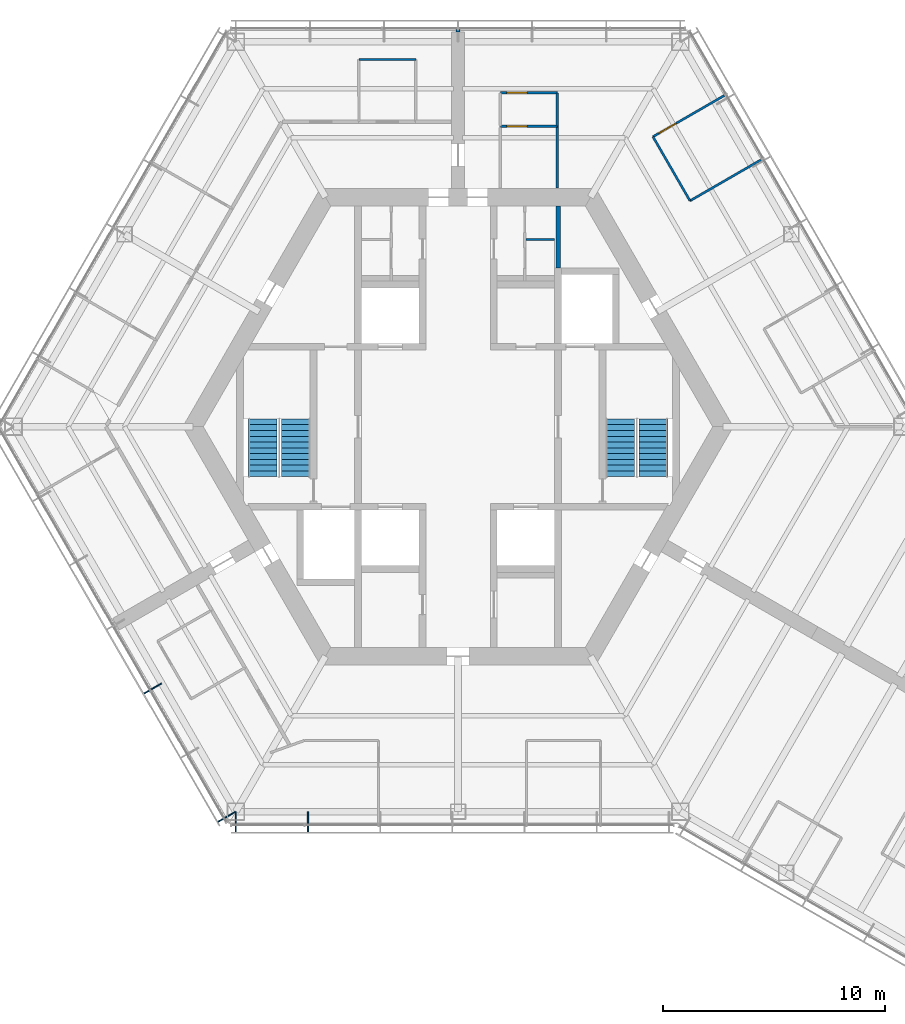
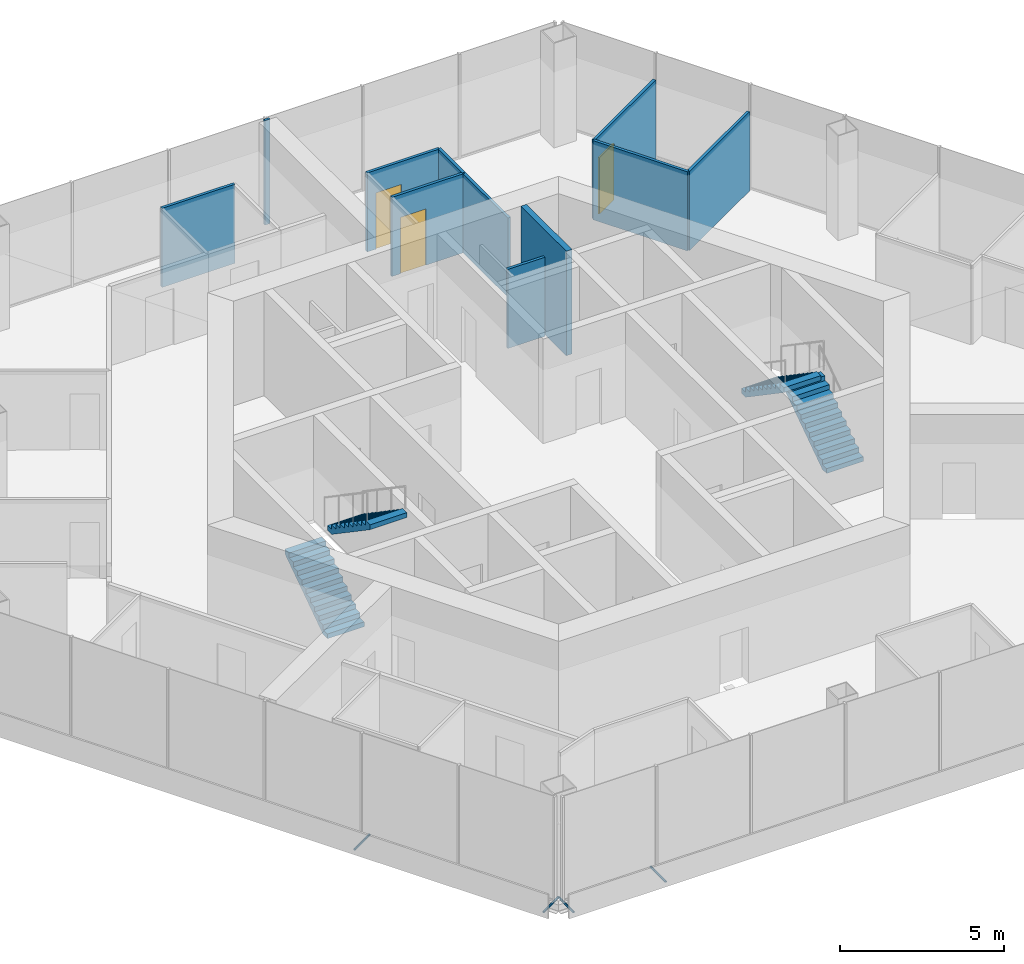
# One storey, part 13 of 16: 11 walls, 4 discrete accessories, 4 stair flights, 3 doors, 3 openings, 2 elements without a shape of their own.
"""IFC4 building model written with IfcOpenShell, lengths in metres."""

from ifc_helpers import new_model, si_unit, direction, frame, frame_2d, origin, origin_2d, place, context, subcontext, project, spatial, polyline, rectangle, hollow_circle, outline, extrude, material, layer, layer_set, material_profile, profile_set, type_object, element, fill, aggregate, save


model = new_model("IFC4")

# Units and contexts
model_context = context("Model", 3, precision=1e-05, world=origin(), true_north=direction((0.0, 1.0)))
body_context = subcontext(model_context, "Body", "Model", "MODEL_VIEW")
ifc_project = project(units=[si_unit("LENGTHUNIT", "METRE"), si_unit("AREAUNIT", "SQUARE_METRE"), si_unit("VOLUMEUNIT", "CUBIC_METRE"), si_unit("PLANEANGLEUNIT", "RADIAN"), si_unit("MASSUNIT", "GRAM", prefix="KILO")], contexts=[model_context])

# Site, building, storey
site_placement = place(None, origin())
site = spatial("IfcSite", under=ifc_project, at=site_placement, CompositionType="ELEMENT")
building_placement = place(site_placement, origin())
building = spatial("IfcBuilding", under=site, at=building_placement, Name="Kasaneha Research Tower", CompositionType="ELEMENT")
storey_placement = place(building_placement, frame((0.0, 0.0, 255.699951171875)))
storey = spatial("IfcBuildingStorey", under=building, at=storey_placement, Name="L64", CompositionType="ELEMENT", Elevation=255.699951171875)

# Wall
ifc_material_1 = material(Name="Gypsum board on steel studs, one layer each side", Category="steel")
ifc_layer_1 = layer(ifc_material_1, 0.10009765625)
ifc_layer_set_1 = layer_set([ifc_layer_1], Name="Office partition 100")
wall_type_1 = type_object("IfcWallType", Name="Office partition 100", PredefinedType="PARTITIONING", material=ifc_layer_set_1)
wall_1_placement = place(storey_placement, frame((3.050048828125, 8.425048828125, 0.0), z_axis=(0.0, 0.0, 1.0), x_axis=(1.0, 0.0, 0.0)))
element("IfcWall", 1, at=wall_1_placement, inside=storey, type_object=wall_type_1, Name="Office partition TBF2 L64", PredefinedType="PARTITIONING", context=body_context, shape_type="SweptSolid", body=[
    extrude(rectangle(XDim=1.300048828125, YDim=0.10009765625, at=frame_2d((0.64990234375, 0.0))), origin(), (0.0, 0.0, 1.0), 2.949951171875),
])

# Wall, opening, door
wall_2_placement = place(storey_placement, frame((1.89990234375, 13.52001953125, 0.0), z_axis=(0.0, 0.0, 1.0), x_axis=(1.0, 0.0, 0.0)))
wall_2 = element("IfcWall", 2, at=wall_2_placement, inside=storey, type_object=wall_type_1, Name="Office partition FAE01 L64", PredefinedType="PARTITIONING", context=body_context, shape_type="SweptSolid", body=[
    extrude(rectangle(XDim=2.565185546875, YDim=0.10009765625, at=frame_2d((1.28271484375, 0.0))), origin(), (0.0, 0.0, 1.0), 2.949951171875),
])
opening_1_placement = place(wall_2_placement, frame((0.300048828125, 0.0, 0.0)))
opening_1 = element("IfcOpeningElement", 3, at=opening_1_placement, cuts=wall_2, Name="Opening L64-D25", PredefinedType="OPENING", context=body_context, shape_type="SweptSolid", body=[
    extrude(rectangle(XDim=0.89990234375, YDim=2.10009765625, at=frame_2d((0.449951171875, 1.050048828125))), frame((0.0, 0.06005859375, 0.0), z_axis=(0.0, -1.0, 0.0), x_axis=(1.0, 0.0, 0.0)), (0.0, 0.0, 1.0), 0.1201171875),
])
ifc_material_2 = material(Name="Steel", Category="steel")
door_type_1 = type_object("IfcDoorType", Name="Toilet lobby door FD30 900x2100", OperationType="NOTDEFINED", PredefinedType="DOOR", material=ifc_material_2)
door_1_placement = place(opening_1_placement, origin())
door_1 = element("IfcDoor", 4, at=door_1_placement, inside=storey, type_object=door_type_1, Name="Women's WC door L64-D25", OperationType="SINGLE_SWING_LEFT", OverallHeight=2.10009765625, OverallWidth=0.89990234375, PredefinedType="DOOR", context=body_context, shape_type="SweptSolid", body=[
    extrude(rectangle(XDim=0.89990234375, YDim=2.10009765625, at=frame_2d((0.449951171875, 1.050048828125))), frame((0.0, 0.02490234375, 0.0), z_axis=(0.0, -1.0, 0.0), x_axis=(1.0, 0.0, 0.0)), (0.0, 0.0, 1.0), 0.050048828125),
])
fill(opening_1, door_1)

# Wall
wall_3_placement = place(storey_placement, frame((4.46044921875, 13.52490234375, 0.0), z_axis=(0.0, 0.0, 1.0), x_axis=(0.001668713644, -0.999998607696, 0.0)))
element("IfcWall", 5, at=wall_3_placement, inside=storey, type_object=wall_type_1, Name="Office partition FAE03 L64", PredefinedType="PARTITIONING", context=body_context, shape_type="SweptSolid", body=[
    extrude(rectangle(XDim=2.77978515625, YDim=0.10009765625, at=frame_2d((1.389892578125, 0.0))), origin(), (0.0, 0.0, 1.0), 2.949951171875),
])

# Wall, opening, door
wall_4_placement = place(storey_placement, frame((1.89990234375, 15.02490234375, 0.0), z_axis=(0.0, 0.0, 1.0), x_axis=(1.0, 0.0, 0.0)))
wall_4 = element("IfcWall", 6, at=wall_4_placement, inside=storey, type_object=wall_type_1, Name="Office partition FAE04 L64", PredefinedType="PARTITIONING", context=body_context, shape_type="SweptSolid", body=[
    extrude(rectangle(XDim=2.565185546875, YDim=0.10009765625, at=frame_2d((1.28271484375, 0.0))), origin(), (0.0, 0.0, 1.0), 2.949951171875),
])
opening_2_placement = place(wall_4_placement, frame((0.300048828125, 0.0, 0.0)))
opening_2 = element("IfcOpeningElement", 7, at=opening_2_placement, cuts=wall_4, Name="Opening L64-D26", PredefinedType="OPENING", context=body_context, shape_type="SweptSolid", body=[
    extrude(rectangle(XDim=0.89990234375, YDim=2.10009765625, at=frame_2d((0.449951171875, 1.050048828125))), frame((0.0, 0.06005859375, 0.0), z_axis=(0.0, -1.0, 0.0), x_axis=(1.0, 0.0, 0.0)), (0.0, 0.0, 1.0), 0.1201171875),
])
door_2_placement = place(opening_2_placement, origin())
door_2 = element("IfcDoor", 8, at=door_2_placement, inside=storey, type_object=door_type_1, Name="Toilet lobby door L64-D26", OperationType="SINGLE_SWING_LEFT", OverallHeight=2.10009765625, OverallWidth=0.89990234375, PredefinedType="DOOR", context=body_context, shape_type="SweptSolid", body=[
    extrude(rectangle(XDim=0.89990234375, YDim=2.10009765625, at=frame_2d((0.449951171875, 1.050048828125))), frame((0.0, 0.02490234375, 0.0), z_axis=(0.0, -1.0, 0.0), x_axis=(1.0, 0.0, 0.0)), (0.0, 0.0, 1.0), 0.050048828125),
])
fill(opening_2, door_2)

# Wall
wall_5_placement = place(storey_placement, frame((4.465087890625, 15.02490234375, 0.0), z_axis=(0.0, 0.0, 1.0), x_axis=(-0.00309243313, -0.999995218417, 0.0)))
element("IfcWall", 9, at=wall_5_placement, inside=storey, type_object=wall_type_1, Name="Office partition FAE06 L64", PredefinedType="PARTITIONING", context=body_context, shape_type="SweptSolid", body=[
    extrude(rectangle(XDim=1.5, YDim=0.10009765625, at=frame_2d((0.75, 0.0))), origin(), (0.0, 0.0, 1.0), 2.949951171875),
])

# Wall, opening, door
wall_6_placement = place(storey_placement, frame((8.77099609375, 13.04931640625, 0.0), z_axis=(0.0, 0.0, 1.0), x_axis=(0.866023396066, 0.500003477455, 0.0)))
wall_6 = element("IfcWall", 10, at=wall_6_placement, inside=storey, type_object=wall_type_1, Name="Office partition FAE11 L64", PredefinedType="PARTITIONING", context=body_context, shape_type="SweptSolid", body=[
    extrude(rectangle(XDim=3.7099609375, YDim=0.10009765625, at=frame_2d((1.85498046875, 0.0))), origin(), (0.0, 0.0, 1.0), 2.949951171875),
])
opening_3_placement = place(wall_6_placement, frame((0.300048828125, 0.0, 0.0)))
opening_3 = element("IfcOpeningElement", 11, at=opening_3_placement, cuts=wall_6, Name="Opening L64-D28", PredefinedType="OPENING", context=body_context, shape_type="SweptSolid", body=[
    extrude(rectangle(XDim=0.89990234375, YDim=2.10009765625, at=frame_2d((0.449951171875, 1.050048828125))), frame((0.0, 0.06005859375, 0.0), z_axis=(0.0, -1.0, 0.0), x_axis=(1.0, 0.0, 0.0)), (0.0, 0.0, 1.0), 0.1201171875),
])
ifc_material_3 = material(Name="Timber veneer", Category="wood")
door_type_2 = type_object("IfcDoorType", Name="Office door 900x2100", OperationType="SINGLE_SWING_LEFT", PredefinedType="DOOR", material=ifc_material_3)
door_3_placement = place(opening_3_placement, origin())
door_3 = element("IfcDoor", 12, at=door_3_placement, inside=storey, type_object=door_type_2, Name="Executive office door L64-D28", OperationType="SINGLE_SWING_LEFT", OverallHeight=2.10009765625, OverallWidth=0.89990234375, PredefinedType="DOOR", context=body_context, shape_type="SweptSolid", body=[
    extrude(rectangle(XDim=0.89990234375, YDim=2.10009765625, at=frame_2d((0.449951171875, 1.050048828125))), frame((0.0, 0.02490234375, 0.0), z_axis=(0.0, -1.0, 0.0), x_axis=(1.0, 0.0, 0.0)), (0.0, 0.0, 1.0), 0.050048828125),
])
fill(opening_3, door_3)

# Walls
wall_7_placement = place(storey_placement, frame((10.4365234375, 10.16455078125, 0.0), z_axis=(0.0, 0.0, 1.0), x_axis=(-0.500001606164, 0.866024476463, 0.0)))
element("IfcWall", 13, at=wall_7_placement, inside=storey, type_object=wall_type_1, Name="Office partition FAE12 L64", PredefinedType="PARTITIONING", context=body_context, shape_type="SweptSolid", body=[
    extrude(rectangle(XDim=3.3310546875, YDim=0.10009765625, at=frame_2d((1.66552734375, 0.0))), origin(), (0.0, 0.0, 1.0), 2.949951171875),
])
wall_8_placement = place(storey_placement, frame((13.623291015625, 12.00439453125, 0.0), z_axis=(0.0, 0.0, 1.0), x_axis=(-0.866029801145, -0.49999238347, 0.0)))
element("IfcWall", 14, at=wall_8_placement, inside=storey, type_object=wall_type_1, Name="Office partition FAE13 L64", PredefinedType="PARTITIONING", context=body_context, shape_type="SweptSolid", body=[
    extrude(rectangle(XDim=3.6796875, YDim=0.10009765625, at=frame_2d((1.83984375, 0.0))), origin(), (0.0, 0.0, 1.0), 2.949951171875),
])
wall_9_placement = place(storey_placement, frame((-4.465087890625, 16.52490234375, 0.0), z_axis=(0.0, 0.0, 1.0), x_axis=(1.0, 0.0, 0.0)))
element("IfcWall", 15, at=wall_9_placement, inside=storey, type_object=wall_type_1, Name="Office partition FAW04 L64", PredefinedType="PARTITIONING", context=body_context, shape_type="SweptSolid", body=[
    extrude(rectangle(XDim=2.565185546875, YDim=0.10009765625, at=frame_2d((1.28271484375, 0.0))), origin(), (0.0, 0.0, 1.0), 2.949951171875),
])
ifc_material_4 = material(Name="Concrete block", Category="concrete")
ifc_layer_2 = layer(ifc_material_4, 0.199951171875)
ifc_layer_set_2 = layer_set([ifc_layer_2], Name="Riser enclosure wall 200")
wall_type_2 = type_object("IfcWallType", Name="Riser enclosure wall 200", PredefinedType="STANDARD", material=ifc_layer_set_2)
wall_10_placement = place(storey_placement, frame((4.5, 7.14990234375, 0.0), z_axis=(0.0, 0.0, 1.0), x_axis=(0.0, 1.0, 0.0)))
element("IfcWall", 16, at=wall_10_placement, inside=storey, type_object=wall_type_2, Name="Riser enclosure wall L64", PredefinedType="STANDARD", context=body_context, shape_type="SweptSolid", body=[
    extrude(rectangle(XDim=2.775146484375, YDim=0.199951171875, at=frame_2d((1.3876953125, 0.0))), origin(), (0.0, 0.0, 1.0), 3.900146484375),
])
ifc_material_5 = material(Name="Gypsum board on steel studs, two layers each side", Category="steel")
ifc_layer_3 = layer(ifc_material_5, 0.175048828125)
ifc_layer_set_3 = layer_set([ifc_layer_3], Name="Tenancy fire partition 175")
wall_type_3 = type_object("IfcWallType", Name="Tenancy fire partition 175", PredefinedType="PARTITIONING", material=ifc_layer_set_3)
wall_11_placement = place(storey_placement, frame((0.0, 17.7705078125, 0.0), z_axis=(0.0, 0.0, 1.0), x_axis=(0.0, 1.0, 0.0)))
element("IfcWall", 17, at=wall_11_placement, inside=storey, type_object=wall_type_3, Name="Spine wall closer SW4-600 L64", PredefinedType="PARTITIONING", context=body_context, shape_type="SweptSolid", body=[
    extrude(rectangle(XDim=0.0849609375, YDim=0.175048828125, at=frame_2d((0.04248046875, 0.0))), origin(), (0.0, 0.0, 1.0), 3.900146484375),
])

# Stair, stair flights
ifc_material_6 = material(Name="Concrete Fc24", Category="concrete")
stair_type = type_object("IfcStairType", Name="Half-turn stair 22 risers", PredefinedType="HALF_TURN_STAIR", material=ifc_material_6)
stair_1_placement = place(storey_placement, origin())
stair_1 = element("IfcStair", 18, at=stair_1_placement, inside=storey, type_object=stair_type, Name="Stair 1 L64", PredefinedType="HALF_TURN_STAIR")
ifc_material_7 = material(Name="Concrete Fc24", Category="concrete")
stair_flight_type = type_object("IfcStairFlightType", Name="Stair flight 11 risers 177.3", PredefinedType="STRAIGHT", material=ifc_material_7)
stair_flight_1_placement = place(storey_placement, frame((8.800048828125, -2.25, 0.0), z_axis=(0.0, 0.0, 1.0), x_axis=(0.0, 1.0, 0.0)))
stair_flight_1 = element("IfcStairFlight", 19, at=stair_flight_1_placement, type_object=stair_flight_type, Name="ST1-22R flight 1", NumberOfRisers=11, NumberOfTreads=10, PredefinedType="STRAIGHT", RiserHeight=0.177272727, TreadLength=0.26, context=body_context, shape_type="SweptSolid", body=[
    extrude(outline(polyline([(0.0, 0.0), (0.0, 0.17724609375), (0.260009765625, 0.17724609375), (0.260009765625, 0.3544921875), (0.52001953125, 0.3544921875), (0.52001953125, 0.53173828125), (0.780029296875, 0.53173828125), (0.780029296875, 0.708984375), (1.0400390625, 0.708984375), (1.0400390625, 0.886474609375), (1.300048828125, 0.886474609375), (1.300048828125, 1.063720703125), (1.56005859375, 1.063720703125), (1.56005859375, 1.240966796875), (1.820068359375, 1.240966796875), (1.820068359375, 1.418212890625), (2.080078125, 1.418212890625), (2.080078125, 1.595458984375), (2.340087890625, 1.595458984375), (2.340087890625, 1.772705078125), (2.60009765625, 1.772705078125), (2.60009765625, 1.949951171875), (2.60009765625, 1.59130859375), (0.26611328125, 0.0), (0.0, 0.0)])), frame((0.0, 0.64990234375, 0.0), z_axis=(0.0, -1.0, 0.0), x_axis=(1.0, 0.0, 0.0)), (0.0, 0.0, 1.0), 1.300048828125),
])
stair_flight_2_placement = place(storey_placement, frame((7.300048828125, 0.35009765625, 1.949951171875), z_axis=(0.0, 0.0, 1.0), x_axis=(0.0, -1.0, 0.0)))
stair_flight_2 = element("IfcStairFlight", 20, at=stair_flight_2_placement, type_object=stair_flight_type, Name="ST1-22R flight 2", NumberOfRisers=11, NumberOfTreads=10, PredefinedType="STRAIGHT", RiserHeight=0.177272727, TreadLength=0.26, context=body_context, shape_type="SweptSolid", body=[
    extrude(outline(polyline([(0.0, 0.0), (0.0, 0.17724609375), (0.260009765625, 0.17724609375), (0.260009765625, 0.3544921875), (0.52001953125, 0.3544921875), (0.52001953125, 0.53173828125), (0.780029296875, 0.53173828125), (0.780029296875, 0.708984375), (1.0400390625, 0.708984375), (1.0400390625, 0.886474609375), (1.300048828125, 0.886474609375), (1.300048828125, 1.063720703125), (1.56005859375, 1.063720703125), (1.56005859375, 1.240966796875), (1.820068359375, 1.240966796875), (1.820068359375, 1.418212890625), (2.080078125, 1.418212890625), (2.080078125, 1.595458984375), (2.340087890625, 1.595458984375), (2.340087890625, 1.772705078125), (2.60009765625, 1.772705078125), (2.60009765625, 1.949951171875), (2.60009765625, 1.59130859375), (0.26611328125, 0.0), (0.0, 0.0)])), frame((0.0, 0.64990234375, 0.0), z_axis=(0.0, -1.0, 0.0), x_axis=(1.0, 0.0, 0.0)), (0.0, 0.0, 1.0), 1.300048828125),
])
aggregate(stair_1, [stair_flight_1, stair_flight_2])

stair_2_placement = place(storey_placement, origin())
stair_2 = element("IfcStair", 21, at=stair_2_placement, inside=storey, type_object=stair_type, Name="Stair 2 L64", PredefinedType="HALF_TURN_STAIR")
stair_flight_3_placement = place(storey_placement, frame((-8.800048828125, -2.25, 0.0), z_axis=(0.0, 0.0, 1.0), x_axis=(0.0, 1.0, 0.0)))
stair_flight_3 = element("IfcStairFlight", 22, at=stair_flight_3_placement, type_object=stair_flight_type, Name="ST2-22R flight 1", NumberOfRisers=11, NumberOfTreads=10, PredefinedType="STRAIGHT", RiserHeight=0.177272727, TreadLength=0.26, context=body_context, shape_type="SweptSolid", body=[
    extrude(outline(polyline([(0.0, 0.0), (0.0, 0.17724609375), (0.260009765625, 0.17724609375), (0.260009765625, 0.3544921875), (0.52001953125, 0.3544921875), (0.52001953125, 0.53173828125), (0.780029296875, 0.53173828125), (0.780029296875, 0.708984375), (1.0400390625, 0.708984375), (1.0400390625, 0.886474609375), (1.300048828125, 0.886474609375), (1.300048828125, 1.063720703125), (1.56005859375, 1.063720703125), (1.56005859375, 1.240966796875), (1.820068359375, 1.240966796875), (1.820068359375, 1.418212890625), (2.080078125, 1.418212890625), (2.080078125, 1.595458984375), (2.340087890625, 1.595458984375), (2.340087890625, 1.772705078125), (2.60009765625, 1.772705078125), (2.60009765625, 1.949951171875), (2.60009765625, 1.59130859375), (0.26611328125, 0.0), (0.0, 0.0)])), frame((0.0, 0.64990234375, 0.0), z_axis=(0.0, -1.0, 0.0), x_axis=(1.0, 0.0, 0.0)), (0.0, 0.0, 1.0), 1.300048828125),
])
stair_flight_4_placement = place(storey_placement, frame((-7.300048828125, 0.35009765625, 1.949951171875), z_axis=(0.0, 0.0, 1.0), x_axis=(0.0, -1.0, 0.0)))
stair_flight_4 = element("IfcStairFlight", 23, at=stair_flight_4_placement, type_object=stair_flight_type, Name="ST2-22R flight 2", NumberOfRisers=11, NumberOfTreads=10, PredefinedType="STRAIGHT", RiserHeight=0.177272727, TreadLength=0.26, context=body_context, shape_type="SweptSolid", body=[
    extrude(outline(polyline([(0.0, 0.0), (0.0, 0.17724609375), (0.260009765625, 0.17724609375), (0.260009765625, 0.3544921875), (0.52001953125, 0.3544921875), (0.52001953125, 0.53173828125), (0.780029296875, 0.53173828125), (0.780029296875, 0.708984375), (1.0400390625, 0.708984375), (1.0400390625, 0.886474609375), (1.300048828125, 0.886474609375), (1.300048828125, 1.063720703125), (1.56005859375, 1.063720703125), (1.56005859375, 1.240966796875), (1.820068359375, 1.240966796875), (1.820068359375, 1.418212890625), (2.080078125, 1.418212890625), (2.080078125, 1.595458984375), (2.340087890625, 1.595458984375), (2.340087890625, 1.772705078125), (2.60009765625, 1.772705078125), (2.60009765625, 1.949951171875), (2.60009765625, 1.59130859375), (0.26611328125, 0.0), (0.0, 0.0)])), frame((0.0, 0.64990234375, 0.0), z_axis=(0.0, -1.0, 0.0), x_axis=(1.0, 0.0, 0.0)), (0.0, 0.0, 1.0), 1.300048828125),
])
aggregate(stair_2, [stair_flight_3, stair_flight_4])

# Discrete accessories
ifc_material_8 = material(Name="Steel STK400", Category="steel")
ifc_material_profile = material_profile(ifc_material_8, hollow_circle(Radius=0.0380859375, WallThickness=0.00390625, at=origin_2d()), Name="CHS-76.3x4.0")
ifc_profile_set = profile_set([ifc_material_profile], Name="Steel STK400")
discrete_accessory_type = type_object("IfcDiscreteAccessoryType", Name="Screen bracket CHS-76.3x4.0", PredefinedType="BRACKET", material=ifc_profile_set)
discrete_accessory_1_placement = place(storey_placement, frame((-13.333984375, -11.5458984375, -0.300048828125), z_axis=(-0.866013213425, -0.500021113727, 0.0), x_axis=(0.500021113727, -0.866013213425, 0.0)))
element("IfcDiscreteAccessory", 24, at=discrete_accessory_1_placement, inside=storey, type_object=discrete_accessory_type, Name="Screen bracket 5", PredefinedType="BRACKET", context=body_context, shape_type="SweptSolid", body=[
    extrude(hollow_circle(Radius=0.0380859375, WallThickness=0.00390625, at=origin_2d()), origin(), (0.0, 0.0, 1.0), 0.919921875),
])
discrete_accessory_2_placement = place(storey_placement, frame((-10.001708984375, -17.3173828125, -0.300048828125), z_axis=(-0.866079547155, -0.499906209203, 0.0), x_axis=(0.499906209203, -0.866079547155, 0.0)))
element("IfcDiscreteAccessory", 25, at=discrete_accessory_2_placement, inside=storey, type_object=discrete_accessory_type, Name="Screen bracket 7", PredefinedType="BRACKET", context=body_context, shape_type="SweptSolid", body=[
    extrude(hollow_circle(Radius=0.0380859375, WallThickness=0.00390625, at=origin_2d()), origin(), (0.0, 0.0, 1.0), 0.920166015625),
])
for number, where, z_axis, x_axis, name in (
    (26, (-9.996337890625, -17.320556640625, -0.300048828125), (0.0, -1.0, 0.0), (1.0, 0.0, 0.0), "Screen bracket 1"),
    (27, (-6.748779296875, -17.320556640625, -0.300048828125), (0.0, -1.0, 0.0), (1.0, 0.0, 0.0), "Screen bracket 2"),
):
    element("IfcDiscreteAccessory", number, at=place(storey_placement, frame(where, z_axis=z_axis, x_axis=x_axis)), inside=storey, type_object=discrete_accessory_type, Name=name, PredefinedType="BRACKET", context=body_context, shape_type="SweptSolid", body=[
        extrude(hollow_circle(Radius=0.0380859375, WallThickness=0.00390625, at=origin_2d()), origin(), (0.0, 0.0, 1.0), 0.919921875),
    ])

save(model, "model.ifc")
